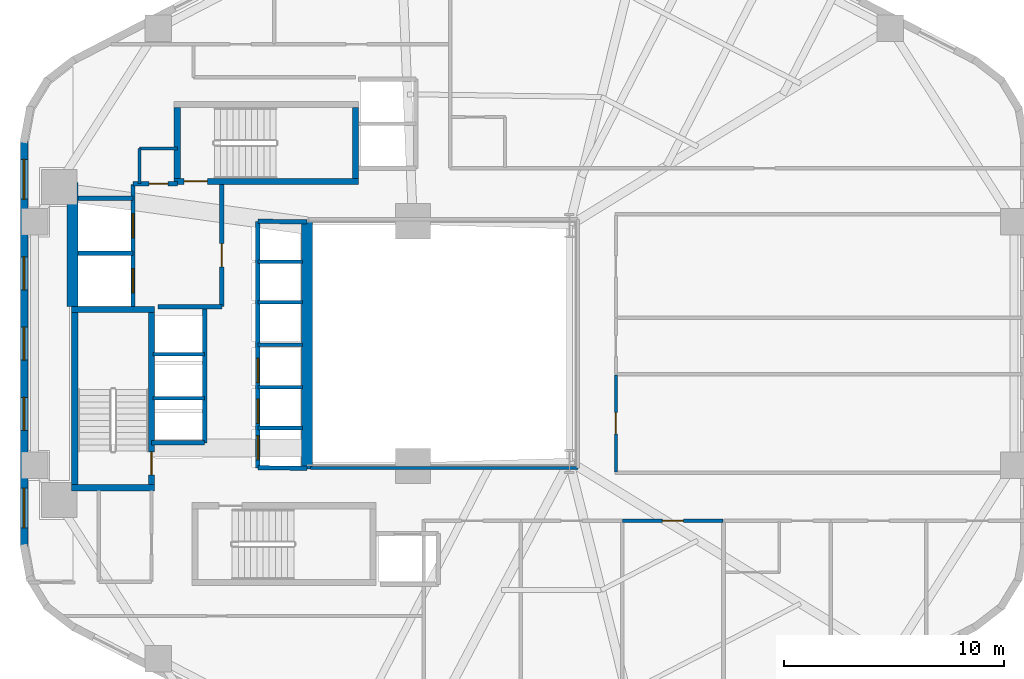
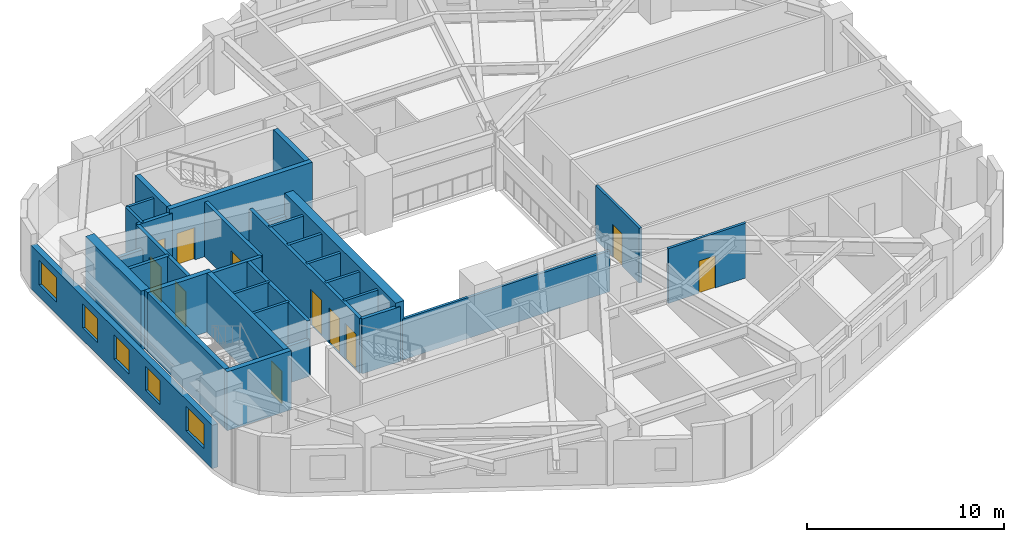
# One storey, part 3 of 7: 33 walls, 11 doors, 5 windows, 16 openings.
"""IFC4 building model written with IfcOpenShell, lengths in metres."""

from ifc_helpers import new_model, si_unit, direction, frame, frame_2d, origin, place, context, subcontext, project, spatial, rectangle, extrude, material, layer, layer_set, type_object, element, fill, save


model = new_model("IFC4")

# Units and contexts
model_context = context("Model", 3, precision=1e-05, world=origin(), true_north=direction((0.0, 1.0)))
body_context = subcontext(model_context, "Body", "Model", "MODEL_VIEW")
ifc_project = project(units=[si_unit("LENGTHUNIT", "METRE"), si_unit("AREAUNIT", "SQUARE_METRE"), si_unit("VOLUMEUNIT", "CUBIC_METRE"), si_unit("PLANEANGLEUNIT", "RADIAN"), si_unit("MASSUNIT", "GRAM", prefix="KILO"), si_unit("THERMODYNAMICTEMPERATUREUNIT", "KELVIN"), si_unit("POWERUNIT", "WATT")], contexts=[model_context])

# Site, building, storey
site_placement = place(None, origin())
site = spatial("IfcSite", under=ifc_project, at=site_placement, CompositionType="ELEMENT")
building_placement = place(site_placement, origin())
building = spatial("IfcBuilding", under=site, at=building_placement, Name="Skarre Station Tower", CompositionType="ELEMENT")
storey_placement = place(building_placement, frame((0.0, 0.0, 78.10009765625)))
storey = spatial("IfcBuildingStorey", under=building, at=storey_placement, Name="L20", CompositionType="ELEMENT", Elevation=78.10009765625)

# Walls
ifc_material_1 = material(Name="Acoustic Steel-Stud Gypsum Partition", Category="steel")
ifc_layer_1 = layer(ifc_material_1, 0.14990234375, Name="Acoustic Steel-Stud Gypsum Partition")
ifc_layer_set_1 = layer_set([ifc_layer_1], Name="Acoustic Steel-Stud Gypsum Partition")
wall_type_1 = type_object("IfcWallType", Name="Fire-Rated Corridor Acoustic Partition 150", PredefinedType="PARTITIONING", material=ifc_layer_set_1)
wall_1_placement = place(storey_placement, frame((19.949951171875, 32.85009765625, 0.0), z_axis=(0.0, 0.0, 1.0), x_axis=(0.0, -1.0, 0.0)))
element("IfcWall", 1, at=wall_1_placement, inside=storey, type_object=wall_type_1, Name="L20 Interior Partition WL-PT-L20-CNW-W", PredefinedType="PARTITIONING", context=body_context, shape_type="SweptSolid", body=[
    extrude(rectangle(XDim=1.590087890625, YDim=0.14990234375, at=frame_2d((0.794921875, 0.0))), origin(), (0.0, 0.0, 1.0), 3.389892578125),
])
wall_2_placement = place(storey_placement, frame((21.659912109375, 32.85009765625, 0.0), z_axis=(0.0, 0.0, 1.0), x_axis=(-1.0, 0.0, 0.0)))
element("IfcWall", 2, at=wall_2_placement, inside=storey, type_object=wall_type_1, Name="L20 Interior Partition WL-PT-L20-CNW-N1", PredefinedType="PARTITIONING", context=body_context, shape_type="SweptSolid", body=[
    extrude(rectangle(XDim=1.7099609375, YDim=0.14990234375, at=frame_2d((0.85498046875, 0.0))), origin(), (0.0, 0.0, 1.0), 3.389892578125),
])
wall_3_placement = place(storey_placement, frame((27.699951171875, 18.360107421875, 0.0), z_axis=(0.0, 0.0, 1.0), x_axis=(1.0, 0.0, 0.0)))
element("IfcWall", 3, at=wall_3_placement, inside=storey, type_object=wall_type_1, Name="L20 Interior Partition WL-PT-L20-ATRW-S", PredefinedType="PARTITIONING", context=body_context, shape_type="SweptSolid", body=[
    extrude(rectangle(XDim=12.14013671875, YDim=0.14990234375, at=frame_2d((6.070068359375, 0.0))), origin(), (0.0, 0.0, 1.0), 2.531005859375),
])

# Wall, opening, door
wall_4_placement = place(storey_placement, frame((41.56005859375, 18.179931640625, 0.0), z_axis=(0.0, 0.0, 1.0), x_axis=(0.0, 1.0, 0.0)))
wall_4 = element("IfcWall", 4, at=wall_4_placement, inside=storey, type_object=wall_type_1, Name="L20 Interior Partition WL-PT-L20-EW1-CW", PredefinedType="PARTITIONING", context=body_context, shape_type="SweptSolid", body=[
    extrude(rectangle(XDim=4.405029296875, YDim=0.14990234375, at=frame_2d((2.20263671875, 0.0))), origin(), (0.0, 0.0, 1.0), 3.389892578125),
])
opening_1_placement = place(wall_4_placement, frame((1.722900390625, 0.0, 0.0)))
opening_1 = element("IfcOpeningElement", 5, at=opening_1_placement, cuts=wall_4, Name="Opening DR-FD60", PredefinedType="OPENING", context=body_context, shape_type="SweptSolid", body=[
    extrude(rectangle(XDim=0.9599609375, YDim=2.0, at=frame_2d((0.47998046875, 1.0))), frame((0.0, 0.0849609375, 0.0), z_axis=(0.0, -1.0, 0.0), x_axis=(1.0, 0.0, 0.0)), (0.0, 0.0, 1.0), 0.169921875),
])
ifc_material_2 = material(Name="Nordic White-Oak Veneer Solid-Core Fire Leaf", Category="wood")
door_type_1 = type_object("IfcDoorType", Name="Corridor Suite Entry Fire Door FD60 960x2150", OperationType="SINGLE_SWING_LEFT", PredefinedType="DOOR", material=ifc_material_2)
door_1_placement = place(opening_1_placement, origin())
door_1 = element("IfcDoor", 6, at=door_1_placement, inside=storey, type_object=door_type_1, Name="L20 EW1 Entry Door", OperationType="SINGLE_SWING_LEFT", OverallHeight=2.0, OverallWidth=0.9599609375, PredefinedType="DOOR", context=body_context, shape_type="SweptSolid", body=[
    extrude(rectangle(XDim=0.9599609375, YDim=2.0, at=frame_2d((0.47998046875, 1.0))), frame((0.0, 0.02490234375, 0.0), z_axis=(0.0, -1.0, 0.0), x_axis=(1.0, 0.0, 0.0)), (0.0, 0.0, 1.0), 0.050048828125),
])
fill(opening_1, door_1)

wall_5_placement = place(storey_placement, frame((41.862060546875, 15.9599609375, 0.0), z_axis=(0.0, 0.0, 1.0), x_axis=(1.0, 0.0, 0.0)))
wall_5 = element("IfcWall", 7, at=wall_5_placement, inside=storey, type_object=wall_type_1, Name="L20 Interior Partition WL-PT-L20-SW3-CW", PredefinedType="PARTITIONING", context=body_context, shape_type="SweptSolid", body=[
    extrude(rectangle(XDim=4.56201171875, YDim=0.14990234375, at=frame_2d((2.281005859375, 0.0))), origin(), (0.0, 0.0, 1.0), 3.389892578125),
])
opening_2_placement = place(wall_5_placement, frame((1.801025390625, 0.0, 0.0)))
opening_2 = element("IfcOpeningElement", 8, at=opening_2_placement, cuts=wall_5, Name="Opening DR-FD60", PredefinedType="OPENING", context=body_context, shape_type="SweptSolid", body=[
    extrude(rectangle(XDim=0.9599609375, YDim=2.0, at=frame_2d((0.47998046875, 1.0))), frame((0.0, 0.0849609375, 0.0), z_axis=(0.0, -1.0, 0.0), x_axis=(1.0, 0.0, 0.0)), (0.0, 0.0, 1.0), 0.169921875),
])
door_2_placement = place(opening_2_placement, origin())
door_2 = element("IfcDoor", 9, at=door_2_placement, inside=storey, type_object=door_type_1, Name="L20 SW3 Entry Door", OperationType="SINGLE_SWING_LEFT", OverallHeight=2.0, OverallWidth=0.9599609375, PredefinedType="DOOR", context=body_context, shape_type="SweptSolid", body=[
    extrude(rectangle(XDim=0.9599609375, YDim=2.0, at=frame_2d((0.47998046875, 1.0))), frame((0.0, 0.02490234375, 0.0), z_axis=(0.0, -1.0, 0.0), x_axis=(1.0, 0.0, 0.0)), (0.0, 0.0, 1.0), 0.050048828125),
])
fill(opening_2, door_2)

# Wall, openings, windows
ifc_material_3 = material(Name="Precast concrete C45/55", Category="concrete")
ifc_layer_2 = layer(ifc_material_3, 0.340087890625, Name="Precast concrete C45/55")
ifc_layer_set_2 = layer_set([ifc_layer_2], Name="Precast concrete C45/55")
wall_type_2 = type_object("IfcWallType", Name="Nordic Honed Precast Facet Wall 340", PredefinedType="STANDARD", material=ifc_layer_set_2)
wall_6_placement = place(storey_placement, frame((14.70703125, 14.798095703125, 0.0), z_axis=(0.0, 0.0, 1.0), x_axis=(0.0, 1.0, 0.0)))
wall_6 = element("IfcWall", 10, at=wall_6_placement, inside=storey, type_object=wall_type_2, Name="L20 Facet 2 Nordic Precast Masonry Wall", PredefinedType="STANDARD", context=body_context, shape_type="SweptSolid", body=[
    extrude(rectangle(XDim=18.40380859375, YDim=0.340087890625, at=frame_2d((9.201904296875, 0.0))), origin(), (0.0, 0.0, 1.0), 2.683837890625),
])
opening_3_placement = place(wall_6_placement, frame((0.844970703125, 0.0, 0.75)))
opening_3 = element("IfcOpeningElement", 11, at=opening_3_placement, cuts=wall_6, Name="Opening WN-Z1A", PredefinedType="OPENING", context=body_context, shape_type="SweptSolid", body=[
    extrude(rectangle(XDim=1.800048828125, YDim=1.5, at=frame_2d((0.89990234375, 0.75))), frame((0.0, 0.179931640625, 0.0), z_axis=(0.0, -1.0, 0.0), x_axis=(1.0, 0.0, 0.0)), (0.0, 0.0, 1.0), 0.360107421875),
])
opening_4_placement = place(wall_6_placement, frame((5.264892578125, 0.0, 0.75)))
opening_4 = element("IfcOpeningElement", 12, at=opening_4_placement, cuts=wall_6, Name="Opening WN-Z1B", PredefinedType="OPENING", context=body_context, shape_type="SweptSolid", body=[
    extrude(rectangle(XDim=1.5, YDim=1.5, at=frame_2d((0.75, 0.75))), frame((0.0, 0.179931640625, 0.0), z_axis=(0.0, -1.0, 0.0), x_axis=(1.0, 0.0, 0.0)), (0.0, 0.0, 1.0), 0.360107421875),
])
opening_5_placement = place(wall_6_placement, frame((8.451904296875, 0.0, 0.75)))
opening_5 = element("IfcOpeningElement", 13, at=opening_5_placement, cuts=wall_6, Name="Opening WN-Z1B", PredefinedType="OPENING", context=body_context, shape_type="SweptSolid", body=[
    extrude(rectangle(XDim=1.5, YDim=1.5, at=frame_2d((0.75, 0.75))), frame((0.0, 0.179931640625, 0.0), z_axis=(0.0, -1.0, 0.0), x_axis=(1.0, 0.0, 0.0)), (0.0, 0.0, 1.0), 0.360107421875),
])
opening_6_placement = place(wall_6_placement, frame((11.638916015625, 0.0, 0.75)))
opening_6 = element("IfcOpeningElement", 14, at=opening_6_placement, cuts=wall_6, Name="Opening WN-Z1B", PredefinedType="OPENING", context=body_context, shape_type="SweptSolid", body=[
    extrude(rectangle(XDim=1.5, YDim=1.5, at=frame_2d((0.75, 0.75))), frame((0.0, 0.179931640625, 0.0), z_axis=(0.0, -1.0, 0.0), x_axis=(1.0, 0.0, 0.0)), (0.0, 0.0, 1.0), 0.360107421875),
])
opening_7_placement = place(wall_6_placement, frame((15.758056640625, 0.0, 0.75)))
opening_7 = element("IfcOpeningElement", 15, at=opening_7_placement, cuts=wall_6, Name="Opening WN-Z1A", PredefinedType="OPENING", context=body_context, shape_type="SweptSolid", body=[
    extrude(rectangle(XDim=1.800048828125, YDim=1.5, at=frame_2d((0.89990234375, 0.75))), frame((0.0, 0.179931640625, 0.0), z_axis=(0.0, -1.0, 0.0), x_axis=(1.0, 0.0, 0.0)), (0.0, 0.0, 1.0), 0.360107421875),
])
ifc_material_4 = material(Name="Low-Iron Triple Glazing with Bronze Anodized Frame", Category="glass")
window_type_1 = type_object("IfcWindowType", Name="Nordic Punched Triple-Glazed Window 1500x1500", PartitioningType="SINGLE_PANEL", PredefinedType="WINDOW", material=ifc_material_4)
window_1_placement = place(opening_4_placement, origin())
window_1 = element("IfcWindow", 16, at=window_1_placement, inside=storey, type_object=window_type_1, Name="L20 Facade Window WL-FAC-L20-F2-2", OverallHeight=1.5, OverallWidth=1.5, PartitioningType="SINGLE_PANEL", PredefinedType="WINDOW", context=body_context, shape_type="SweptSolid", body=[
    extrude(rectangle(XDim=1.5, YDim=1.5, at=frame_2d((0.75, 0.75))), frame((0.0, 0.030029296875, 0.0), z_axis=(0.0, -1.0, 0.0), x_axis=(1.0, 0.0, 0.0)), (0.0, 0.0, 1.0), 0.06005859375),
])
fill(opening_4, window_1)
window_2_placement = place(opening_5_placement, origin())
window_2 = element("IfcWindow", 17, at=window_2_placement, inside=storey, type_object=window_type_1, Name="L20 Facade Window WL-FAC-L20-F2-3", OverallHeight=1.5, OverallWidth=1.5, PartitioningType="SINGLE_PANEL", PredefinedType="WINDOW", context=body_context, shape_type="SweptSolid", body=[
    extrude(rectangle(XDim=1.5, YDim=1.5, at=frame_2d((0.75, 0.75))), frame((0.0, 0.030029296875, 0.0), z_axis=(0.0, -1.0, 0.0), x_axis=(1.0, 0.0, 0.0)), (0.0, 0.0, 1.0), 0.06005859375),
])
fill(opening_5, window_2)
window_3_placement = place(opening_6_placement, origin())
window_3 = element("IfcWindow", 18, at=window_3_placement, inside=storey, type_object=window_type_1, Name="L20 Facade Window WL-FAC-L20-F2-4", OverallHeight=1.5, OverallWidth=1.5, PartitioningType="SINGLE_PANEL", PredefinedType="WINDOW", context=body_context, shape_type="SweptSolid", body=[
    extrude(rectangle(XDim=1.5, YDim=1.5, at=frame_2d((0.75, 0.75))), frame((0.0, 0.030029296875, 0.0), z_axis=(0.0, -1.0, 0.0), x_axis=(1.0, 0.0, 0.0)), (0.0, 0.0, 1.0), 0.06005859375),
])
fill(opening_6, window_3)
window_type_2 = type_object("IfcWindowType", Name="Nordic Punched Triple-Glazed Window 1800x1500", PartitioningType="SINGLE_PANEL", PredefinedType="WINDOW", material=ifc_material_4)
window_4_placement = place(opening_3_placement, origin())
window_4 = element("IfcWindow", 19, at=window_4_placement, inside=storey, type_object=window_type_2, Name="L20 Facade Window WL-FAC-L20-F2-1", OverallHeight=1.5, OverallWidth=1.800048828125, PartitioningType="SINGLE_PANEL", PredefinedType="WINDOW", context=body_context, shape_type="SweptSolid", body=[
    extrude(rectangle(XDim=1.800048828125, YDim=1.5, at=frame_2d((0.89990234375, 0.75))), frame((0.0, 0.030029296875, 0.0), z_axis=(0.0, -1.0, 0.0), x_axis=(1.0, 0.0, 0.0)), (0.0, 0.0, 1.0), 0.06005859375),
])
fill(opening_3, window_4)
window_5_placement = place(opening_7_placement, origin())
window_5 = element("IfcWindow", 20, at=window_5_placement, inside=storey, type_object=window_type_2, Name="L20 Facade Window WL-FAC-L20-F2-5", OverallHeight=1.5, OverallWidth=1.800048828125, PartitioningType="SINGLE_PANEL", PredefinedType="WINDOW", context=body_context, shape_type="SweptSolid", body=[
    extrude(rectangle(XDim=1.800048828125, YDim=1.5, at=frame_2d((0.89990234375, 0.75))), frame((0.0, 0.030029296875, 0.0), z_axis=(0.0, -1.0, 0.0), x_axis=(1.0, 0.0, 0.0)), (0.0, 0.0, 1.0), 0.06005859375),
])
fill(opening_7, window_5)

# Walls
ifc_material_5 = material(Name="Concrete C50/60", Category="concrete")
ifc_layer_3 = layer(ifc_material_5, 0.280029296875, Name="Concrete C50/60")
ifc_layer_set_3 = layer_set([ifc_layer_3], Name="Concrete C50/60")
wall_type_3 = type_object("IfcWallType", Name="RC Core Shear Wall 280", PredefinedType="SHEAR", material=ifc_layer_set_3)
for number, where, z_axis, x_axis, name in (
    (21, (16.8701171875, 17.4599609375, 0.0), (0.0, 0.0, 1.0), (1.0, 0.0, 0.0), "L20 Stair ST-1 South Shear Wall"),
    (22, (20.6298828125, 25.5400390625, 0.0), (0.0, 0.0, 1.0), (-1.0, 0.0, 0.0), "L20 Stair ST-1 North Shear Wall"),
):
    element("IfcWall", number, at=place(storey_placement, frame(where, z_axis=z_axis, x_axis=x_axis)), inside=storey, type_object=wall_type_3, Name=name, PredefinedType="SHEAR", context=body_context, shape_type="SweptSolid", body=[
        extrude(rectangle(XDim=3.759765625, YDim=0.280029296875, at=frame_2d((1.8798828125, 0.0))), origin(), (0.0, 0.0, 1.0), 3.64990234375),
    ])
wall_7_placement = place(storey_placement, frame((17.010009765625, 25.39990234375, 0.0), z_axis=(0.0, 0.0, 1.0), x_axis=(0.0, -1.0, 0.0)))
element("IfcWall", 23, at=wall_7_placement, inside=storey, type_object=wall_type_3, Name="L20 Stair ST-1 West Shear Wall", PredefinedType="SHEAR", context=body_context, shape_type="SweptSolid", body=[
    extrude(rectangle(XDim=7.7998046875, YDim=0.280029296875, at=frame_2d((3.89990234375, 0.0))), origin(), (0.0, 0.0, 1.0), 3.64990234375),
])

# Wall, opening, door
wall_8_placement = place(storey_placement, frame((20.489990234375, 17.60009765625, 0.0), z_axis=(0.0, 0.0, 1.0), x_axis=(0.0, 1.0, 0.0)))
wall_8 = element("IfcWall", 24, at=wall_8_placement, inside=storey, type_object=wall_type_3, Name="L20 Stair ST-1 East Shear Wall", PredefinedType="SHEAR", context=body_context, shape_type="SweptSolid", body=[
    extrude(rectangle(XDim=7.7998046875, YDim=0.280029296875, at=frame_2d((3.89990234375, 0.0))), origin(), (0.0, 0.0, 1.0), 3.64990234375),
])
opening_8_placement = place(wall_8_placement, frame((0.43994140625, 0.0, 0.0)))
opening_8 = element("IfcOpeningElement", 25, at=opening_8_placement, cuts=wall_8, Name="Opening DR-FD90", PredefinedType="OPENING", context=body_context, shape_type="SweptSolid", body=[
    extrude(rectangle(XDim=1.050048828125, YDim=2.0, at=frame_2d((0.52490234375, 1.0))), frame((0.0, 0.14990234375, 0.0), z_axis=(0.0, -1.0, 0.0), x_axis=(1.0, 0.0, 0.0)), (0.0, 0.0, 1.0), 0.300048828125),
])
ifc_material_6 = material(Name="Fire-Rated Insulated Steel Frame & Timber Core Leaf", Category="steel")
door_type_2 = type_object("IfcDoorType", Name="Stair & FSAE Lobby Fire Door FD90 1050x2150", OperationType="SINGLE_SWING_RIGHT", PredefinedType="DOOR", material=ifc_material_6)
door_3_placement = place(opening_8_placement, origin())
door_3 = element("IfcDoor", 26, at=door_3_placement, inside=storey, type_object=door_type_2, Name="L20 Stair ST-1 Exit Door", OperationType="SINGLE_SWING_RIGHT", OverallHeight=2.0, OverallWidth=1.050048828125, PredefinedType="DOOR", context=body_context, shape_type="SweptSolid", body=[
    extrude(rectangle(XDim=1.050048828125, YDim=2.0, at=frame_2d((0.52490234375, 1.0))), frame((0.0, 0.02490234375, 0.0), z_axis=(0.0, -1.0, 0.0), x_axis=(1.0, 0.0, 0.0)), (0.0, 0.0, 1.0), 0.050048828125),
])
fill(opening_8, door_3)

wall_9_placement = place(storey_placement, frame((21.52001953125, 31.360107421875, 0.0), z_axis=(0.0, 0.0, 1.0), x_axis=(1.0, 0.0, 0.0)))
wall_9 = element("IfcWall", 27, at=wall_9_placement, inside=storey, type_object=wall_type_3, Name="L20 Stair ST-3 South Shear Wall", PredefinedType="SHEAR", context=body_context, shape_type="SweptSolid", body=[
    extrude(rectangle(XDim=8.35986328125, YDim=0.280029296875, at=frame_2d((4.179931640625, 0.0))), origin(), (0.0, 0.0, 1.0), 3.64990234375),
])
opening_9_placement = place(wall_9_placement, frame((0.449951171875, 0.0, 0.0)))
opening_9 = element("IfcOpeningElement", 28, at=opening_9_placement, cuts=wall_9, Name="Opening DR-FD90", PredefinedType="OPENING", context=body_context, shape_type="SweptSolid", body=[
    extrude(rectangle(XDim=1.050048828125, YDim=2.0, at=frame_2d((0.52490234375, 1.0))), frame((0.0, 0.14990234375, 0.0), z_axis=(0.0, -1.0, 0.0), x_axis=(1.0, 0.0, 0.0)), (0.0, 0.0, 1.0), 0.300048828125),
])
door_4_placement = place(opening_9_placement, origin())
door_4 = element("IfcDoor", 29, at=door_4_placement, inside=storey, type_object=door_type_2, Name="L20 Stair ST-3 & FSAE Lobby Direct Exit Door", OperationType="SINGLE_SWING_LEFT", OverallHeight=2.0, OverallWidth=1.050048828125, PredefinedType="DOOR", context=body_context, shape_type="SweptSolid", body=[
    extrude(rectangle(XDim=1.050048828125, YDim=2.0, at=frame_2d((0.52490234375, 1.0))), frame((0.0, 0.02490234375, 0.0), z_axis=(0.0, -1.0, 0.0), x_axis=(1.0, 0.0, 0.0)), (0.0, 0.0, 1.0), 0.050048828125),
])
fill(opening_9, door_4)

# Walls
for number, where, z_axis, x_axis, name in (
    (30, (21.659912109375, 34.699951171875, 0.0), (0.0, 0.0, 1.0), (0.0, -1.0, 0.0), "L20 Stair ST-3 West Shear Wall"),
    (31, (29.739990234375, 31.5, 0.0), (0.0, 0.0, 1.0), (0.0, 1.0, 0.0), "L20 Stair ST-3 East Shear Wall"),
):
    element("IfcWall", number, at=place(storey_placement, frame(where, z_axis=z_axis, x_axis=x_axis)), inside=storey, type_object=wall_type_3, Name=name, PredefinedType="SHEAR", context=body_context, shape_type="SweptSolid", body=[
        extrude(rectangle(XDim=3.199951171875, YDim=0.280029296875, at=frame_2d((1.60009765625, 0.0))), origin(), (0.0, 0.0, 1.0), 3.64990234375),
    ])
ifc_material_7 = material(Name="Concrete C70/85", Category="concrete")
ifc_layer_4 = layer(ifc_material_7, 0.5, Name="Concrete C70/85")
ifc_layer_set_4 = layer_set([ifc_layer_4], Name="Concrete C70/85")
wall_type_4 = type_object("IfcWallType", Name="RC Core Shear Wall 500", PredefinedType="SHEAR", material=ifc_layer_set_4)
wall_10_placement = place(storey_placement, frame((16.89990234375, 25.679931640625, 0.0), z_axis=(0.0, 0.0, 1.0), x_axis=(0.0, 1.0, 0.0)))
element("IfcWall", 32, at=wall_10_placement, inside=storey, type_object=wall_type_4, Name="L20 Core West-North Shear Wall", PredefinedType="SHEAR", context=body_context, shape_type="SweptSolid", body=[
    extrude(rectangle(XDim=5.6201171875, YDim=0.5, at=frame_2d((2.81005859375, 0.0))), origin(), (0.0, 0.0, 1.0), 3.64990234375),
])
wall_11_placement = place(storey_placement, frame((27.550048828125, 29.550048828125, 0.0), z_axis=(0.0, 0.0, 1.0), x_axis=(0.0, -1.0, 0.0)))
element("IfcWall", 33, at=wall_11_placement, inside=storey, type_object=wall_type_4, Name="L20 Core East Atrium Shear Wall", PredefinedType="SHEAR", context=body_context, shape_type="SweptSolid", body=[
    extrude(rectangle(XDim=11.25, YDim=0.5, at=frame_2d((5.625, 0.0))), origin(), (0.0, 0.0, 1.0), 3.64990234375),
])

# Wall, openings, doors
ifc_material_8 = material(Name="Gypsum Concrete Shaft Assembly C30/37", Category="concrete")
ifc_layer_5 = layer(ifc_material_8, 0.199951171875, Name="Gypsum Concrete Shaft Assembly C30/37")
ifc_layer_set_5 = layer_set([ifc_layer_5], Name="Gypsum Concrete Shaft Assembly C30/37")
wall_type_5 = type_object("IfcWallType", Name="Shaft & Core Fire Partition 200", PredefinedType="PARTITIONING", material=ifc_layer_set_5)
wall_12_placement = place(storey_placement, frame((19.64990234375, 25.679931640625, 0.0), z_axis=(0.0, 0.0, 1.0), x_axis=(0.0, 1.0, 0.0)))
wall_12 = element("IfcWall", 34, at=wall_12_placement, inside=storey, type_object=wall_type_5, Name="L20 Interior Partition WL-PT-L20-FSAE-W", PredefinedType="PARTITIONING", context=body_context, shape_type="SweptSolid", body=[
    extrude(rectangle(XDim=5.5400390625, YDim=0.199951171875, at=frame_2d((2.77001953125, 0.0))), origin(), (0.0, 0.0, 1.0), 3.389892578125),
])
opening_10_placement = place(wall_12_placement, frame((0.6201171875, 0.0, 0.0)))
opening_10 = element("IfcOpeningElement", 35, at=opening_10_placement, cuts=wall_12, Name="Opening LD-FF1", PredefinedType="OPENING", context=body_context, shape_type="SweptSolid", body=[
    extrude(rectangle(XDim=1.10009765625, YDim=2.199951171875, at=frame_2d((0.550048828125, 1.10009765625))), frame((0.0, 0.10986328125, 0.0), z_axis=(0.0, -1.0, 0.0), x_axis=(1.0, 0.0, 0.0)), (0.0, 0.0, 1.0), 0.219970703125),
])
opening_11_placement = place(wall_12_placement, frame((3.1201171875, 0.0, 0.0)))
opening_11 = element("IfcOpeningElement", 36, at=opening_11_placement, cuts=wall_12, Name="Opening LD-FF2", PredefinedType="OPENING", context=body_context, shape_type="SweptSolid", body=[
    extrude(rectangle(XDim=1.10009765625, YDim=2.199951171875, at=frame_2d((0.550048828125, 1.10009765625))), frame((0.0, 0.10986328125, 0.0), z_axis=(0.0, -1.0, 0.0), x_axis=(1.0, 0.0, 0.0)), (0.0, 0.0, 1.0), 0.219970703125),
])
ifc_material_9 = material(Name="Fire-Rated Stainless Steel Grade 316L Sliding Leaves", Category="steel")
door_type_3 = type_object("IfcDoorType", Name="Fire Service Access Elevator Sliding Landing Door 1100x2200", OperationType="SLIDING_TO_LEFT", PredefinedType="DOOR", material=ifc_material_9)
door_5_placement = place(opening_10_placement, origin())
door_5 = element("IfcDoor", 37, at=door_5_placement, inside=storey, type_object=door_type_3, Name="L20 Firefighting Lift LF-FF1 Landing Door", OperationType="SLIDING_TO_LEFT", OverallHeight=2.199951171875, OverallWidth=1.10009765625, PredefinedType="DOOR", context=body_context, shape_type="SweptSolid", body=[
    extrude(rectangle(XDim=1.10009765625, YDim=2.199951171875, at=frame_2d((0.550048828125, 1.10009765625))), frame((0.0, 0.02490234375, 0.0), z_axis=(0.0, -1.0, 0.0), x_axis=(1.0, 0.0, 0.0)), (0.0, 0.0, 1.0), 0.050048828125),
])
fill(opening_10, door_5)
door_6_placement = place(opening_11_placement, origin())
door_6 = element("IfcDoor", 38, at=door_6_placement, inside=storey, type_object=door_type_3, Name="L20 Firefighting Lift LF-FF2 Landing Door", OperationType="SLIDING_TO_LEFT", OverallHeight=2.199951171875, OverallWidth=1.10009765625, PredefinedType="DOOR", context=body_context, shape_type="SweptSolid", body=[
    extrude(rectangle(XDim=1.10009765625, YDim=2.199951171875, at=frame_2d((0.550048828125, 1.10009765625))), frame((0.0, 0.02490234375, 0.0), z_axis=(0.0, -1.0, 0.0), x_axis=(1.0, 0.0, 0.0)), (0.0, 0.0, 1.0), 0.050048828125),
])
fill(opening_11, door_6)

# Wall
wall_13_placement = place(storey_placement, frame((20.79296875, 25.679931640625, 0.0), z_axis=(0.0, 0.0, 1.0), x_axis=(1.0, 0.0, 0.0)))
element("IfcWall", 39, at=wall_13_placement, inside=storey, type_object=wall_type_5, Name="L20 Interior Partition WL-PT-L20-FSAE-S", PredefinedType="PARTITIONING", context=body_context, shape_type="SweptSolid", body=[
    extrude(rectangle(XDim=2.886962890625, YDim=0.199951171875, at=frame_2d((1.443359375, 0.0))), origin(), (0.0, 0.0, 1.0), 3.389892578125),
])

# Wall, opening, door
wall_14_placement = place(storey_placement, frame((23.679931640625, 25.679931640625, 0.0), z_axis=(0.0, 0.0, 1.0), x_axis=(0.0, 1.0, 0.0)))
wall_14 = element("IfcWall", 40, at=wall_14_placement, inside=storey, type_object=wall_type_5, Name="L20 Interior Partition WL-PT-L20-FSAE-E", PredefinedType="PARTITIONING", context=body_context, shape_type="SweptSolid", body=[
    extrude(rectangle(XDim=5.5400390625, YDim=0.199951171875, at=frame_2d((2.77001953125, 0.0))), origin(), (0.0, 0.0, 1.0), 3.389892578125),
])
opening_12_placement = place(wall_14_placement, frame((1.800048828125, 0.0, 0.0)))
opening_12 = element("IfcOpeningElement", 41, at=opening_12_placement, cuts=wall_14, Name="Opening DR-FD90", PredefinedType="OPENING", context=body_context, shape_type="SweptSolid", body=[
    extrude(rectangle(XDim=1.050048828125, YDim=2.0, at=frame_2d((0.52490234375, 1.0))), frame((0.0, 0.10986328125, 0.0), z_axis=(0.0, -1.0, 0.0), x_axis=(1.0, 0.0, 0.0)), (0.0, 0.0, 1.0), 0.219970703125),
])
door_7_placement = place(opening_12_placement, origin())
door_7 = element("IfcDoor", 42, at=door_7_placement, inside=storey, type_object=door_type_2, Name="L20 FSAE Lobby Fire Door", OperationType="SINGLE_SWING_RIGHT", OverallHeight=2.0, OverallWidth=1.050048828125, PredefinedType="DOOR", context=body_context, shape_type="SweptSolid", body=[
    extrude(rectangle(XDim=1.050048828125, YDim=2.0, at=frame_2d((0.52490234375, 1.0))), frame((0.0, 0.02490234375, 0.0), z_axis=(0.0, -1.0, 0.0), x_axis=(1.0, 0.0, 0.0)), (0.0, 0.0, 1.0), 0.050048828125),
])
fill(opening_12, door_7)

wall_15_placement = place(storey_placement, frame((21.659912109375, 31.260009765625, 0.0), z_axis=(0.0, 0.0, 1.0), x_axis=(-1.0, 0.0, 0.0)))
wall_15 = element("IfcWall", 43, at=wall_15_placement, inside=storey, type_object=wall_type_5, Name="L20 Interior Partition WL-PT-L20-FSAE-N", PredefinedType="PARTITIONING", context=body_context, shape_type="SweptSolid", body=[
    extrude(rectangle(XDim=2.010009765625, YDim=0.199951171875, at=frame_2d((1.0048828125, 0.0))), origin(), (0.0, 0.0, 1.0), 3.389892578125),
])
opening_13_placement = place(wall_15_placement, frame((0.419921875, 0.0, 0.0)))
opening_13 = element("IfcOpeningElement", 44, at=opening_13_placement, cuts=wall_15, Name="Opening DR-SVC86", PredefinedType="OPENING", context=body_context, shape_type="SweptSolid", body=[
    extrude(rectangle(XDim=0.860107421875, YDim=2.0, at=frame_2d((0.43017578125, 1.0))), frame((0.0, 0.10986328125, 0.0), z_axis=(0.0, -1.0, 0.0), x_axis=(1.0, 0.0, 0.0)), (0.0, 0.0, 1.0), 0.219970703125),
])
ifc_material_10 = material(Name="Powder-Coated Hollow-Metal Acoustic Fire Leaf", Category="steel")
door_type_4 = type_object("IfcDoorType", Name="Compact Riser Fire Door FD60 860x2100", OperationType="SINGLE_SWING_LEFT", PredefinedType="DOOR", material=ifc_material_10)
door_8_placement = place(opening_13_placement, origin())
door_8 = element("IfcDoor", 45, at=door_8_placement, inside=storey, type_object=door_type_4, Name="L20 Core Service Room Lobby Door", OperationType="SINGLE_SWING_LEFT", OverallHeight=2.0, OverallWidth=0.860107421875, PredefinedType="DOOR", context=body_context, shape_type="SweptSolid", body=[
    extrude(rectangle(XDim=0.860107421875, YDim=2.0, at=frame_2d((0.43017578125, 1.0))), frame((0.0, 0.02490234375, 0.0), z_axis=(0.0, -1.0, 0.0), x_axis=(1.0, 0.0, 0.0)), (0.0, 0.0, 1.0), 0.050048828125),
])
fill(opening_13, door_8)

# Walls
wall_16_placement = place(storey_placement, frame((17.14990234375, 28.10009765625, 0.0), z_axis=(0.0, 0.0, 1.0), x_axis=(1.0, 0.0, 0.0)))
element("IfcWall", 46, at=wall_16_placement, inside=storey, type_object=wall_type_5, Name="L20 Interior Partition WL-PT-L20-FF-DIV", PredefinedType="PARTITIONING", context=body_context, shape_type="SweptSolid", body=[
    extrude(rectangle(XDim=2.5, YDim=0.199951171875, at=frame_2d((1.25, 0.0))), origin(), (0.0, 0.0, 1.0), 3.389892578125),
])
wall_17_placement = place(storey_placement, frame((19.64990234375, 30.60009765625, 0.0), z_axis=(0.0, 0.0, 1.0), x_axis=(-1.0, 0.0, 0.0)))
element("IfcWall", 47, at=wall_17_placement, inside=storey, type_object=wall_type_5, Name="L20 Interior Partition WL-PT-L20-FF-N", PredefinedType="PARTITIONING", context=body_context, shape_type="SweptSolid", body=[
    extrude(rectangle(XDim=2.5, YDim=0.199951171875, at=frame_2d((1.25, 0.0))), origin(), (0.0, 0.0, 1.0), 2.289794921875),
])
wall_18_placement = place(storey_placement, frame((22.89990234375, 19.5, 0.0), z_axis=(0.0, 0.0, 1.0), x_axis=(0.0, 1.0, 0.0)))
element("IfcWall", 48, at=wall_18_placement, inside=storey, type_object=wall_type_5, Name="L20 Interior Partition WL-PT-L20-B3-E", PredefinedType="PARTITIONING", context=body_context, shape_type="SweptSolid", body=[
    extrude(rectangle(XDim=6.0849609375, YDim=0.199951171875, at=frame_2d((3.04248046875, 0.0))), origin(), (0.0, 0.0, 1.0), 3.389892578125),
])
wall_19_placement = place(storey_placement, frame((20.489990234375, 19.5, 0.0), z_axis=(0.0, 0.0, 1.0), x_axis=(1.0, 0.0, 0.0)))
element("IfcWall", 49, at=wall_19_placement, inside=storey, type_object=wall_type_5, Name="L20 Interior Partition WL-PT-L20-B3-S", PredefinedType="PARTITIONING", context=body_context, shape_type="SweptSolid", body=[
    extrude(rectangle(XDim=2.409912109375, YDim=0.199951171875, at=frame_2d((1.205078125, 0.0))), origin(), (0.0, 0.0, 1.0), 2.289794921875),
])
for number, where, z_axis, x_axis, name in (
    (50, (20.550048828125, 21.52001953125, 0.0), (0.0, 0.0, 1.0), (1.0, 0.0, 0.0), "L20 Interior Partition WL-PT-L20-B3-D1"),
    (51, (20.550048828125, 23.52001953125, 0.0), (0.0, 0.0, 1.0), (1.0, 0.0, 0.0), "L20 Interior Partition WL-PT-L20-B3-D2"),
):
    element("IfcWall", number, at=place(storey_placement, frame(where, z_axis=z_axis, x_axis=x_axis)), inside=storey, type_object=wall_type_5, Name=name, PredefinedType="PARTITIONING", context=body_context, shape_type="SweptSolid", body=[
        extrude(rectangle(XDim=2.349853515625, YDim=0.159912109375, at=frame_2d((1.1748046875, 0.0))), origin(), (0.0, 0.0, 1.0), 3.389892578125),
    ])

# Wall, openings, doors
wall_20_placement = place(storey_placement, frame((25.320068359375, 29.550048828125, 0.0), z_axis=(0.0, 0.0, 1.0), x_axis=(0.0, -1.0, 0.0)))
wall_20 = element("IfcWall", 52, at=wall_20_placement, inside=storey, type_object=wall_type_5, Name="L20 Interior Partition WL-PT-L20-B12-W", PredefinedType="PARTITIONING", context=body_context, shape_type="SweptSolid", body=[
    extrude(rectangle(XDim=11.18994140625, YDim=0.199951171875, at=frame_2d((5.594970703125, 0.0))), origin(), (0.0, 0.0, 1.0), 3.389892578125),
])
opening_14_placement = place(wall_20_placement, frame((6.219970703125, 0.0, 0.0)))
opening_14 = element("IfcOpeningElement", 53, at=opening_14_placement, cuts=wall_20, Name="Opening LD-P3", PredefinedType="OPENING", context=body_context, shape_type="SweptSolid", body=[
    extrude(rectangle(XDim=1.10009765625, YDim=2.199951171875, at=frame_2d((0.550048828125, 1.10009765625))), frame((0.0, 0.10986328125, 0.0), z_axis=(0.0, -1.0, 0.0), x_axis=(1.0, 0.0, 0.0)), (0.0, 0.0, 1.0), 0.219970703125),
])
opening_15_placement = place(wall_20_placement, frame((8.070068359375, 0.0, 0.0)))
opening_15 = element("IfcOpeningElement", 54, at=opening_15_placement, cuts=wall_20, Name="Opening LD-P2", PredefinedType="OPENING", context=body_context, shape_type="SweptSolid", body=[
    extrude(rectangle(XDim=1.10009765625, YDim=2.199951171875, at=frame_2d((0.550048828125, 1.10009765625))), frame((0.0, 0.10986328125, 0.0), z_axis=(0.0, -1.0, 0.0), x_axis=(1.0, 0.0, 0.0)), (0.0, 0.0, 1.0), 0.219970703125),
])
opening_16_placement = place(wall_20_placement, frame((9.72998046875, 0.0, 0.0)))
opening_16 = element("IfcOpeningElement", 55, at=opening_16_placement, cuts=wall_20, Name="Opening LD-P1", PredefinedType="OPENING", context=body_context, shape_type="SweptSolid", body=[
    extrude(rectangle(XDim=1.10009765625, YDim=2.199951171875, at=frame_2d((0.550048828125, 1.10009765625))), frame((0.0, 0.10986328125, 0.0), z_axis=(0.0, -1.0, 0.0), x_axis=(1.0, 0.0, 0.0)), (0.0, 0.0, 1.0), 0.219970703125),
])
ifc_material_11 = material(Name="Brushed Bronze Stainless Steel Sliding Leaves", Category="steel")
door_type_5 = type_object("IfcDoorType", Name="Passenger Elevator Center-Parting Sliding Door 1100x2200", OperationType="SLIDING_TO_LEFT", PredefinedType="DOOR", material=ifc_material_11)
door_9_placement = place(opening_14_placement, origin())
door_9 = element("IfcDoor", 56, at=door_9_placement, inside=storey, type_object=door_type_5, Name="L20 Passenger Lift LF-P3 Landing Door", OperationType="SLIDING_TO_LEFT", OverallHeight=2.199951171875, OverallWidth=1.10009765625, PredefinedType="DOOR", context=body_context, shape_type="SweptSolid", body=[
    extrude(rectangle(XDim=1.10009765625, YDim=2.199951171875, at=frame_2d((0.550048828125, 1.10009765625))), frame((0.0, 0.02490234375, 0.0), z_axis=(0.0, -1.0, 0.0), x_axis=(1.0, 0.0, 0.0)), (0.0, 0.0, 1.0), 0.050048828125),
])
fill(opening_14, door_9)
door_10_placement = place(opening_15_placement, origin())
door_10 = element("IfcDoor", 57, at=door_10_placement, inside=storey, type_object=door_type_5, Name="L20 Passenger Lift LF-P2 Landing Door", OperationType="SLIDING_TO_LEFT", OverallHeight=2.199951171875, OverallWidth=1.10009765625, PredefinedType="DOOR", context=body_context, shape_type="SweptSolid", body=[
    extrude(rectangle(XDim=1.10009765625, YDim=2.199951171875, at=frame_2d((0.550048828125, 1.10009765625))), frame((0.0, 0.02490234375, 0.0), z_axis=(0.0, -1.0, 0.0), x_axis=(1.0, 0.0, 0.0)), (0.0, 0.0, 1.0), 0.050048828125),
])
fill(opening_15, door_10)
door_11_placement = place(opening_16_placement, origin())
door_11 = element("IfcDoor", 58, at=door_11_placement, inside=storey, type_object=door_type_5, Name="L20 Passenger Lift LF-P1 Landing Door", OperationType="SLIDING_TO_LEFT", OverallHeight=2.199951171875, OverallWidth=1.10009765625, PredefinedType="DOOR", context=body_context, shape_type="SweptSolid", body=[
    extrude(rectangle(XDim=1.10009765625, YDim=2.199951171875, at=frame_2d((0.550048828125, 1.10009765625))), frame((0.0, 0.02490234375, 0.0), z_axis=(0.0, -1.0, 0.0), x_axis=(1.0, 0.0, 0.0)), (0.0, 0.0, 1.0), 0.050048828125),
])
fill(opening_16, door_11)

# Walls
wall_21_placement = place(storey_placement, frame((25.320068359375, 18.360107421875, 0.0), z_axis=(0.0, 0.0, 1.0), x_axis=(0.999989925833, -0.004488678231, 0.0)))
element("IfcWall", 59, at=wall_21_placement, inside=storey, type_object=wall_type_5, Name="L20 Interior Partition WL-PT-L20-B12-S", PredefinedType="PARTITIONING", context=body_context, shape_type="SweptSolid", body=[
    extrude(rectangle(XDim=2.22998046875, YDim=0.199951171875, at=frame_2d((1.114990234375, 0.0))), origin(), (0.0, 0.0, 1.0), 3.389892578125),
])
wall_22_placement = place(storey_placement, frame((27.550048828125, 29.52001953125, 0.0), z_axis=(0.0, 0.0, 1.0), x_axis=(-0.999909343457, 0.013464949556, 0.0)))
element("IfcWall", 60, at=wall_22_placement, inside=storey, type_object=wall_type_5, Name="L20 Interior Partition WL-PT-L20-B12-N", PredefinedType="PARTITIONING", context=body_context, shape_type="SweptSolid", body=[
    extrude(rectangle(XDim=2.230224609375, YDim=0.199951171875, at=frame_2d((1.115234375, 0.0))), origin(), (0.0, 0.0, 1.0), 2.289794921875),
])
for number, where, z_axis, x_axis, name in (
    (61, (25.320068359375, 20.169921875, 0.0), (0.0, 0.0, 1.0), (1.0, 0.0, 0.0), "L20 Interior Partition WL-PT-L20-B12-D201"),
    (62, (25.320068359375, 22.02001953125, 0.0), (0.0, 0.0, 1.0), (1.0, 0.0, 0.0), "L20 Interior Partition WL-PT-L20-B12-D220"),
    (63, (25.320068359375, 23.949951171875, 0.0), (0.0, 0.0, 1.0), (1.0, 0.0, 0.0), "L20 Interior Partition WL-PT-L20-B12-D239"),
    (64, (25.320068359375, 25.8701171875, 0.0), (0.0, 0.0, 1.0), (1.0, 0.0, 0.0), "L20 Interior Partition WL-PT-L20-B12-D258"),
    (65, (25.320068359375, 27.719970703125, 0.0), (0.0, 0.0, 1.0), (1.0, 0.0, 0.0), "L20 Interior Partition WL-PT-L20-B12-D277"),
):
    element("IfcWall", number, at=place(storey_placement, frame(where, z_axis=z_axis, x_axis=x_axis)), inside=storey, type_object=wall_type_5, Name=name, PredefinedType="PARTITIONING", context=body_context, shape_type="SweptSolid", body=[
        extrude(rectangle(XDim=2.030029296875, YDim=0.159912109375, at=frame_2d((1.01513671875, 0.0))), origin(), (0.0, 0.0, 1.0), 3.389892578125),
    ])

save(model, "model.ifc")
